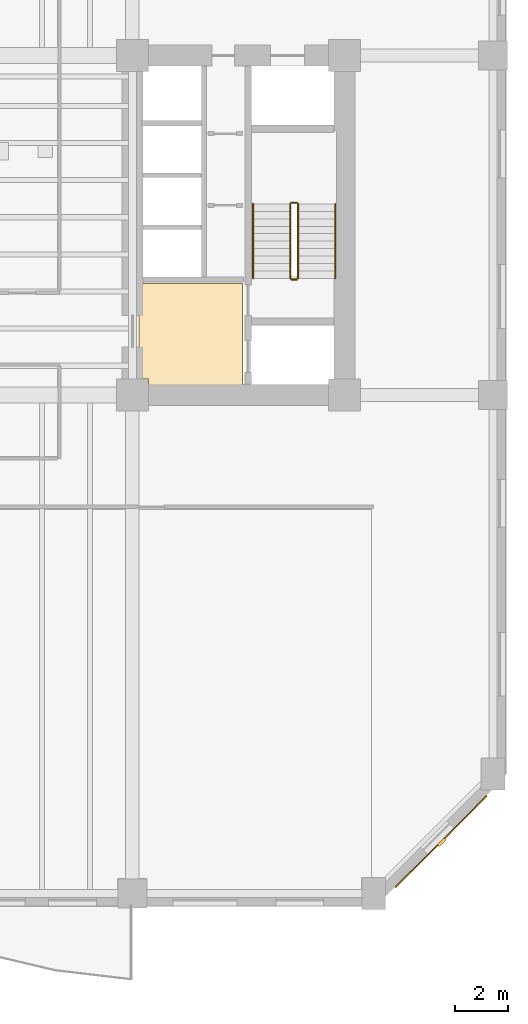
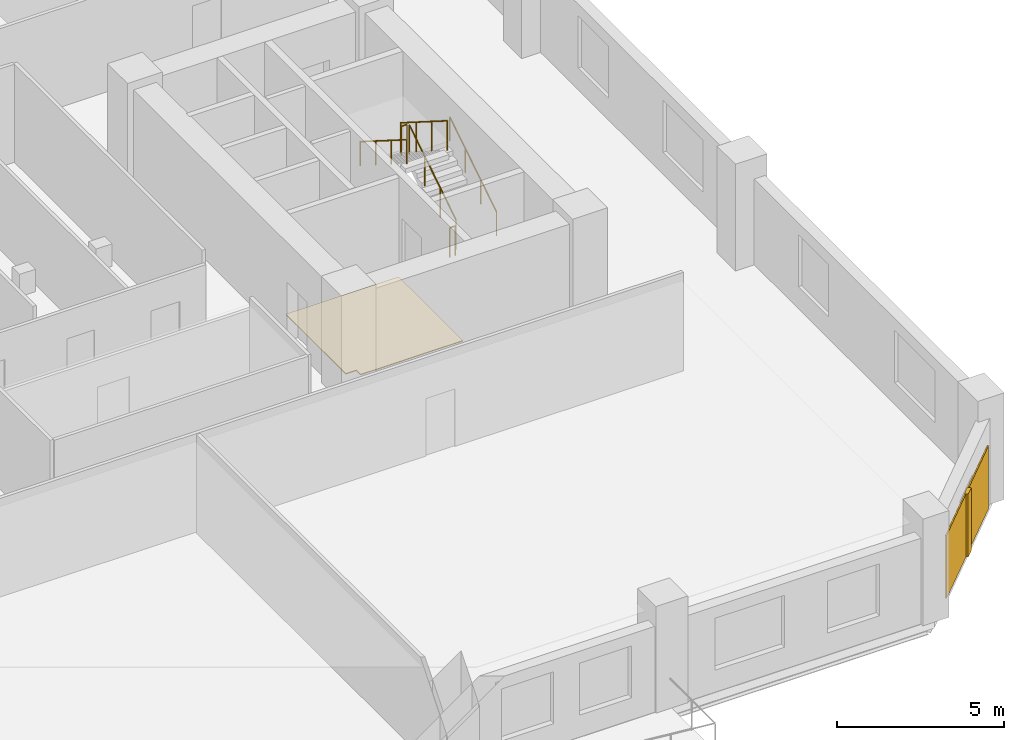
# One storey, part 8 of 10: 6 railings, 2 coverings, 1 shading device.
"""IFC4 building model written with IfcOpenShell, lengths in metres."""

import ifcopenshell
import ifcopenshell.guid

model = None  # the IFC model being written
_history = None  # IfcOwnerHistory: only IFC2X3 demands one
_inside = {}  # id of a spatial element -> (the spatial element, [elements in it])
_under = {}  # id of a project, library or spatial element -> (it, [spatial elements below it])
_declared = {}  # id of a project -> (the project, [libraries it declares])
_typed = {}  # id of a type object -> (the type object, [elements of that type])
_made_of = {}  # id of a material, layer set ... -> (it, [elements and type objects made of it])


def new_model(schema):
    """Start an empty IFC model of exactly this schema.

    Asked for "IFC4X3", IfcOpenShell would pick the latest addendum, in which some entities
    have other attributes; the version numbers below select the first issue.
    IFC2X3 requires an IfcOwnerHistory on every rooted entity: one is made here for all.
    """
    global model, _history
    if schema == "IFC4X3":
        model = ifcopenshell.file(schema_version=(4, 3, 0, 0))
    else:
        model = ifcopenshell.file(schema=schema)
    _inside.clear()
    _under.clear()
    _declared.clear()
    _typed.clear()
    _made_of.clear()
    _history = None
    if model.schema == "IFC2X3":
        org = make("IfcOrganization", Name="unknown")
        user = make(
            "IfcPersonAndOrganization",
            ThePerson=make("IfcPerson", FamilyName="unknown"),
            TheOrganization=org,
        )
        app = make(
            "IfcApplication",
            ApplicationDeveloper=org,
            Version="unknown",
            ApplicationFullName="unknown",
            ApplicationIdentifier="unknown",
        )
        _history = make(
            "IfcOwnerHistory",
            OwningUser=user,
            OwningApplication=app,
            ChangeAction="ADDED",
            CreationDate=0,
        )
    return model


def make(cls, **values):
    """One entity of the class cls with the attributes given. An attribute that is None is left unset."""
    return model.create_entity(
        cls, **{name: value for name, value in values.items() if value is not None}
    )


def rooted(cls, **values):
    """An entity with a GlobalId (a new one), such as an element, a storey or a relation."""
    return make(cls, GlobalId=ifcopenshell.guid.new(), OwnerHistory=_history, **values)


def si_unit(unit_type, name, prefix=None):
    """IfcSIUnit, for example si_unit("LENGTHUNIT", "METRE", prefix="MILLI")."""
    return make("IfcSIUnit", UnitType=unit_type, Prefix=prefix, Name=name)


def assignment(units):
    """IfcUnitAssignment: the units of a project."""
    return None if units is None else make("IfcUnitAssignment", Units=units)


def point(xyz):
    """IfcCartesianPoint."""
    return None if xyz is None else make("IfcCartesianPoint", Coordinates=xyz)


def direction(xyz):
    """IfcDirection."""
    return None if xyz is None else make("IfcDirection", DirectionRatios=xyz)


def frame(location, z_axis=None, x_axis=None):
    """IfcAxis2Placement3D, a coordinate frame: its origin and axes. An axis left out is left unset."""
    return make(
        "IfcAxis2Placement3D",
        Location=point(location),
        Axis=direction(z_axis),
        RefDirection=direction(x_axis),
    )


def frame_2d(location, x_axis=None):
    """IfcAxis2Placement2D, a coordinate frame in the plane: its origin and x axis."""
    return make(
        "IfcAxis2Placement2D", Location=point(location), RefDirection=direction(x_axis)
    )


def origin():
    """The frame at (0, 0, 0) with its axes left unset."""
    return frame((0.0, 0.0, 0.0))


def origin_2d():
    """The frame at (0, 0) in the plane with its x axis left unset."""
    return frame_2d((0.0, 0.0))


def place(relative_to, where):
    """IfcLocalPlacement: puts the frame where relative to a parent placement (None: the world)."""
    return make(
        "IfcLocalPlacement", PlacementRelTo=relative_to, RelativePlacement=where
    )


def context(
    kind, dimensions, precision=None, world=None, true_north=None, identifier=None
):
    """IfcGeometricRepresentationContext, for example the 3D "Model" context."""
    return make(
        "IfcGeometricRepresentationContext",
        ContextIdentifier=identifier,
        ContextType=kind,
        CoordinateSpaceDimension=dimensions,
        Precision=precision,
        WorldCoordinateSystem=world,
        TrueNorth=true_north,
    )


def subcontext(parent, identifier, kind, view, scale=None):
    """IfcGeometricRepresentationSubContext, for example "Body" below "Model"."""
    return make(
        "IfcGeometricRepresentationSubContext",
        ContextIdentifier=identifier,
        ContextType=kind,
        ParentContext=parent,
        TargetScale=scale,
        TargetView=view,
    )


def project(units=None, contexts=None):
    """IfcProject with its units and contexts."""
    return rooted(
        "IfcProject",
        Name="project",
        RepresentationContexts=contexts,
        UnitsInContext=assignment(units),
    )


def spatial(cls, under=None, at=None, **own):
    """A site, building, storey or space (cls), placed at a placement, below another one or the project."""
    s = rooted(cls, ObjectPlacement=at, **own)
    if under is not None:
        _under.setdefault(under.id(), (under, []))[1].append(s)
    return s


def polyline(points):
    """IfcPolyline through the points."""
    return make("IfcPolyline", Points=[point(p) for p in points])


def profile(cls, at=None, kind="AREA", **sizes):
    """A parametric profile (cls). Its sizes go by their IFC names, for example OverallWidth=200.0."""
    return make(cls, ProfileType=kind, Position=at, **sizes)


def rectangle(**sizes):
    """IfcRectangleProfileDef."""
    return profile("IfcRectangleProfileDef", **sizes)


def circle(**sizes):
    """IfcCircleProfileDef."""
    return profile("IfcCircleProfileDef", **sizes)


def outline(outer, holes=None, kind="AREA"):
    """IfcArbitraryClosedProfileDef: a profile drawn as a closed curve; with holes, ...WithVoids."""
    if holes is None:
        return make("IfcArbitraryClosedProfileDef", ProfileType=kind, OuterCurve=outer)
    return make(
        "IfcArbitraryProfileDefWithVoids",
        ProfileType=kind,
        OuterCurve=outer,
        InnerCurves=holes,
    )


def extrude(swept, where, along, depth):
    """IfcExtrudedAreaSolid: the profile swept, set in the frame where, extruded along a direction by depth."""
    return make(
        "IfcExtrudedAreaSolid",
        SweptArea=swept,
        Position=where,
        ExtrudedDirection=direction(along),
        Depth=depth,
    )


def shape(context_of_items, identifier, shape_type, items):
    """IfcShapeRepresentation: the items that make up one representation, for example the "Body"."""
    return make(
        "IfcShapeRepresentation",
        ContextOfItems=context_of_items,
        RepresentationIdentifier=identifier,
        RepresentationType=shape_type,
        Items=items,
    )


def material(Name=None, Category=None):
    """IfcMaterial."""
    return make("IfcMaterial", Name=Name, Category=Category)


def layer(
    of_material, thickness, ventilated=None, Name=None, Category=None, Priority=None
):
    """IfcMaterialLayer: one layer of a wall or slab, of a material (None: an air gap)."""
    return make(
        "IfcMaterialLayer",
        Material=of_material,
        LayerThickness=thickness,
        IsVentilated=ventilated,
        Name=Name,
        Category=Category,
        Priority=Priority,
    )


def layer_set(layers, Name=None):
    """IfcMaterialLayerSet."""
    return make("IfcMaterialLayerSet", MaterialLayers=layers, LayerSetName=Name)


def made_of(thing, what):
    """Note that an element or type object is made of a material, layer set ...; save() writes the relation."""
    if what is not None:
        _made_of.setdefault(what.id(), (what, []))[1].append(thing)
    return thing


def type_object(cls, material=None, **own):
    """A type object (cls), such as IfcWallType, which elements share."""
    return made_of(rooted(cls, **own), material)


def element(
    cls,
    number,
    at=None,
    inside=None,
    cuts=None,
    type_object=None,
    material=None,
    context=None,
    identifier="Body",
    shape_type=None,
    held_by="IfcProductDefinitionShape",
    body=None,
    shapes=None,
    **own,
):
    """One element of the class cls, such as IfcWall. Its Tag is "e" and its number.

    at: its placement. inside: the storey or other place that contains it. cuts: it is an
    opening in that element (IfcRelVoidsElement). A single representation is given by context,
    identifier, shape_type and body (its items); several are given by shapes. held_by: the class
    of the entity that holds the representations. save() writes the other relations.
    """
    e = rooted(cls, Tag="e%d" % number, ObjectPlacement=at, **own)
    if body is not None:
        shapes = [shape(context, identifier, shape_type, body)]
    if shapes is not None:
        e.Representation = make(held_by, Representations=shapes)
    if inside is not None:
        _inside.setdefault(inside.id(), (inside, []))[1].append(e)
    if cuts is not None:
        rooted(
            "IfcRelVoidsElement", RelatingBuildingElement=cuts, RelatedOpeningElement=e
        )
    if type_object is not None:
        _typed.setdefault(type_object.id(), (type_object, []))[1].append(e)
    return made_of(e, material)


def aggregate(whole, parts):
    """IfcRelAggregates: a whole, such as a stair, and the parts it consists of."""
    return rooted("IfcRelAggregates", RelatingObject=whole, RelatedObjects=parts)


def save(model, path):
    """Write the relations noted so far, then the file.

    IfcRelAggregates (storeys below a building ...), IfcRelContainedInSpatialStructure (elements
    in a storey), IfcRelDefinesByType, IfcRelAssociatesMaterial and IfcRelDeclares: one each for
    every whole, place, type object, material and project.
    """
    for whole, parts in _under.values():
        aggregate(whole, parts)
    for where, things in _inside.values():
        rooted(
            "IfcRelContainedInSpatialStructure",
            RelatedElements=things,
            RelatingStructure=where,
        )
    for kind, things in _typed.values():
        rooted("IfcRelDefinesByType", RelatedObjects=things, RelatingType=kind)
    for what, things in _made_of.values():
        rooted("IfcRelAssociatesMaterial", RelatedObjects=things, RelatingMaterial=what)
    for by, libraries in _declared.values():
        rooted("IfcRelDeclares", RelatingContext=by, RelatedDefinitions=libraries)
    model.write(path)


model = new_model("IFC4")

# Units and contexts
model_context = context("Model", 3, precision=1e-05, world=origin(), true_north=direction((0.0, 1.0)))
body_context = subcontext(model_context, "Body", "Model", "MODEL_VIEW")
ifc_project = project(units=[si_unit("LENGTHUNIT", "METRE"), si_unit("AREAUNIT", "SQUARE_METRE"), si_unit("VOLUMEUNIT", "CUBIC_METRE"), si_unit("PLANEANGLEUNIT", "RADIAN"), si_unit("MASSUNIT", "GRAM", prefix="KILO")], contexts=[model_context])

# Site, building, storey
site_placement = place(None, origin())
site = spatial("IfcSite", under=ifc_project, at=site_placement, CompositionType="ELEMENT")
building_placement = place(site_placement, origin())
building = spatial("IfcBuilding", under=site, at=building_placement, Name="Kranthara Brick Stack", CompositionType="ELEMENT")
storey_placement = place(building_placement, frame((0.0, 0.0, 32.10009765625)))
storey = spatial("IfcBuildingStorey", under=building, at=storey_placement, Name="L07", CompositionType="ELEMENT", Elevation=32.10009765625)

# Coverings
ifc_material_1 = material(Name="Warm buff kiln-fired brick slip rainscreen", Category="masonry")
ifc_layer_1 = layer(ifc_material_1, 0.044921875)
ifc_layer_set_1 = layer_set([ifc_layer_1], Name="Warm buff kiln-fired brick slip rainscreen")
covering_type_1 = type_object("IfcCoveringType", Name="COV-CLAD-BRICK", PredefinedType="CLADDING", material=ifc_layer_set_1)
covering_1_placement = place(storey_placement, frame((46.843505859375, 3.95654296875, 0.0498046875), z_axis=(0.0, 0.0, 1.0), x_axis=(-0.707106781187, -0.707106781187, 0.0)))
element("IfcCovering", 1, at=covering_1_placement, inside=storey, type_object=covering_type_1, Name="L07 Chamfer Brick Rainscreen Cladding SE", PredefinedType="CLADDING", context=body_context, shape_type="SweptSolid", body=[
    extrude(rectangle(XDim=4.876953125, YDim=0.044921875, at=origin_2d()), origin(), (0.0, 0.0, 1.0), 2.300048828125),
])
ifc_material_2 = material(Name="Honed terrazzo and porcelain floor finish", Category="stone")
ifc_layer_2 = layer(ifc_material_2, 0.030029296875)
ifc_layer_set_2 = layer_set([ifc_layer_2], Name="Honed terrazzo and porcelain floor finish")
covering_type_2 = type_object("IfcCoveringType", Name="COV-FLOR-STONE", PredefinedType="FLOORING", material=ifc_layer_set_2)
covering_2_placement = place(storey_placement, origin())
element("IfcCovering", 2, at=covering_2_placement, inside=storey, type_object=covering_type_2, Name="L07 Lift Lobby Stone Flooring", PredefinedType="FLOORING", context=body_context, shape_type="SweptSolid", body=[
    extrude(outline(polyline([(35.449951171875, 25.0), (39.35009765625, 25.0), (39.35009765625, 21.14990234375), (35.81005859375, 21.14990234375), (35.81005859375, 21.409912109375), (35.449951171875, 21.409912109375), (35.449951171875, 25.0)])), origin(), (0.0, 0.0, 1.0), 0.02978515625),
])

# Railings
ifc_material_3 = material(Name="Painted galvanized steel stair guardrail", Category="steel")
railing_type_1 = type_object("IfcRailingType", Name="RL-STAIR-GUARD-1100", PredefinedType="GUARDRAIL", material=ifc_material_3)
railing_1_placement = place(storey_placement, frame((41.449951171875, 25.199951171875, 0.17724609375)))
element("IfcRailing", 3, at=railing_1_placement, inside=storey, type_object=railing_type_1, Name="L07 ST02 stair guard 1", PredefinedType="GUARDRAIL", context=body_context, shape_type="SweptSolid", body=[
    extrude(circle(Radius=0.02392578125, at=origin_2d()), frame((0.0, 0.0, 1.076171875), z_axis=(0.0, 0.844908973607, 0.534910110503), x_axis=(-1.0, 0.0, 0.0)), (0.0, 0.0, 1.0), 3.31396484375),
    extrude(circle(Radius=0.02099609375, at=origin_2d()), origin(), (0.0, 0.0, 1.0), 1.052001953125),
    extrude(circle(Radius=0.02099609375, at=origin_2d()), frame((0.0, 0.933349609375, 0.5908203125)), (0.0, 0.0, 1.0), 1.052001953125),
    extrude(circle(Radius=0.02099609375, at=origin_2d()), frame((0.0, 1.86669921875, 1.181884765625)), (0.0, 0.0, 1.0), 1.052001953125),
    extrude(circle(Radius=0.02099609375, at=origin_2d()), frame((0.0, 2.800048828125, 1.772705078125)), (0.0, 0.0, 1.0), 1.052001953125),
])
railing_2_placement = place(storey_placement, frame((41.39990234375, 28.050048828125, 1.949951171875)))
element("IfcRailing", 4, at=railing_2_placement, inside=storey, type_object=railing_type_1, Name="L07 ST02 stair guard 2", PredefinedType="GUARDRAIL", context=body_context, shape_type="SweptSolid", body=[
    extrude(circle(Radius=0.02392578125, at=origin_2d()), frame((0.0, 0.0, 1.076171875), z_axis=(-1.0, 0.0, 0.0), x_axis=(0.0, -1.0, 0.0)), (0.0, 0.0, 1.0), 0.199951171875),
    extrude(circle(Radius=0.02099609375, at=origin_2d()), origin(), (0.0, 0.0, 1.0), 1.052001953125),
    extrude(circle(Radius=0.02099609375, at=origin_2d()), frame((-0.199951171875, 0.0, 0.0)), (0.0, 0.0, 1.0), 1.052001953125),
])
railing_3_placement = place(storey_placement, frame((41.14990234375, 28.0, 2.127197265625)))
element("IfcRailing", 5, at=railing_3_placement, inside=storey, type_object=railing_type_1, Name="L07 ST02 stair guard 3", PredefinedType="GUARDRAIL", context=body_context, shape_type="SweptSolid", body=[
    extrude(circle(Radius=0.02392578125, at=origin_2d()), frame((0.0, 0.0, 1.076171875), z_axis=(0.0, -0.844908973607, 0.534910110503), x_axis=(1.0, 0.0, 0.0)), (0.0, 0.0, 1.0), 3.31396484375),
    extrude(circle(Radius=0.02099609375, at=origin_2d()), origin(), (0.0, 0.0, 1.0), 1.052001953125),
    extrude(circle(Radius=0.02099609375, at=origin_2d()), frame((0.0, -0.933349609375, 0.5908203125)), (0.0, 0.0, 1.0), 1.052001953125),
    extrude(circle(Radius=0.02099609375, at=origin_2d()), frame((0.0, -1.86669921875, 1.181884765625)), (0.0, 0.0, 1.0), 1.052001953125),
    extrude(circle(Radius=0.02099609375, at=origin_2d()), frame((0.0, -2.800048828125, 1.772705078125)), (0.0, 0.0, 1.0), 1.052001953125),
])
railing_4_placement = place(storey_placement, frame((41.39990234375, 25.14990234375, 0.0)))
element("IfcRailing", 6, at=railing_4_placement, inside=storey, type_object=railing_type_1, Name="L07 ST02 stair guard 4", PredefinedType="GUARDRAIL", context=body_context, shape_type="SweptSolid", body=[
    extrude(circle(Radius=0.02392578125, at=origin_2d()), frame((0.0, 0.0, 1.076171875), z_axis=(-1.0, 0.0, 0.0), x_axis=(0.0, -1.0, 0.0)), (0.0, 0.0, 1.0), 0.199951171875),
    extrude(circle(Radius=0.02099609375, at=origin_2d()), origin(), (0.0, 0.0, 1.0), 1.052001953125),
    extrude(circle(Radius=0.02099609375, at=origin_2d()), frame((-0.199951171875, 0.0, 0.0)), (0.0, 0.0, 1.0), 1.052001953125),
])
ifc_material_4 = material(Name="Brushed stainless steel tubular handrail", Category="steel")
railing_type_2 = type_object("IfcRailingType", Name="RL-STAIR-HAND-900", PredefinedType="HANDRAIL", material=ifc_material_4)
railing_5_placement = place(storey_placement, frame((42.85009765625, 25.199951171875, 0.17724609375)))
element("IfcRailing", 7, at=railing_5_placement, inside=storey, type_object=railing_type_2, Name="L07 ST02 stair handrail 1", PredefinedType="HANDRAIL", context=body_context, shape_type="SweptSolid", body=[
    extrude(circle(Radius=0.02392578125, at=origin_2d()), frame((0.0, 0.0, 0.8759765625), z_axis=(0.0, 0.844908973607, 0.534910110503), x_axis=(-1.0, 0.0, 0.0)), (0.0, 0.0, 1.0), 3.31396484375),
    extrude(circle(Radius=0.02099609375, at=origin_2d()), origin(), (0.0, 0.0, 1.0), 0.851806640625),
    extrude(circle(Radius=0.02099609375, at=origin_2d()), frame((0.0, 0.933349609375, 0.5908203125)), (0.0, 0.0, 1.0), 0.851806640625),
    extrude(circle(Radius=0.02099609375, at=origin_2d()), frame((0.0, 1.86669921875, 1.181884765625)), (0.0, 0.0, 1.0), 0.851806640625),
    extrude(circle(Radius=0.02099609375, at=origin_2d()), frame((0.0, 2.800048828125, 1.772705078125)), (0.0, 0.0, 1.0), 0.851806640625),
])
railing_6_placement = place(storey_placement, frame((39.75, 28.0, 2.127197265625)))
element("IfcRailing", 8, at=railing_6_placement, inside=storey, type_object=railing_type_2, Name="L07 ST02 stair handrail 2", PredefinedType="HANDRAIL", context=body_context, shape_type="SweptSolid", body=[
    extrude(circle(Radius=0.02392578125, at=origin_2d()), frame((0.0, 0.0, 0.8759765625), z_axis=(0.0, -0.844908973607, 0.534910110503), x_axis=(1.0, 0.0, 0.0)), (0.0, 0.0, 1.0), 3.31396484375),
    extrude(circle(Radius=0.02099609375, at=origin_2d()), origin(), (0.0, 0.0, 1.0), 0.851806640625),
    extrude(circle(Radius=0.02099609375, at=origin_2d()), frame((0.0, -0.933349609375, 0.5908203125)), (0.0, 0.0, 1.0), 0.851806640625),
    extrude(circle(Radius=0.02099609375, at=origin_2d()), frame((0.0, -1.86669921875, 1.181884765625)), (0.0, 0.0, 1.0), 0.851806640625),
    extrude(circle(Radius=0.02099609375, at=origin_2d()), frame((0.0, -2.800048828125, 1.772705078125)), (0.0, 0.0, 1.0), 0.851806640625),
])

# Shading device
ifc_material_5 = material(Name="Kiln-fired terracotta aerodynamic wind fin", Category="masonry")
shading_device_type = type_object("IfcShadingDeviceType", Name="SHD-BAFFLE-CORNER", PredefinedType="SHUTTER", material=ifc_material_5)
shading_device_placement = place(storey_placement, frame((46.86474609375, 3.935302734375, 0.0498046875), z_axis=(0.0, 0.0, 1.0), x_axis=(-0.707106781187, -0.707106781187, 0.0)))
element("IfcShadingDevice", 9, at=shading_device_placement, inside=storey, type_object=shading_device_type, Name="L07 Chamfer Wind-Baffle Fin SE", PredefinedType="SHUTTER", context=body_context, shape_type="SweptSolid", body=[
    extrude(rectangle(XDim=0.35009765625, YDim=0.1201171875, at=origin_2d()), origin(), (0.0, 0.0, 1.0), 2.300048828125),
])

save(model, "model.ifc")
